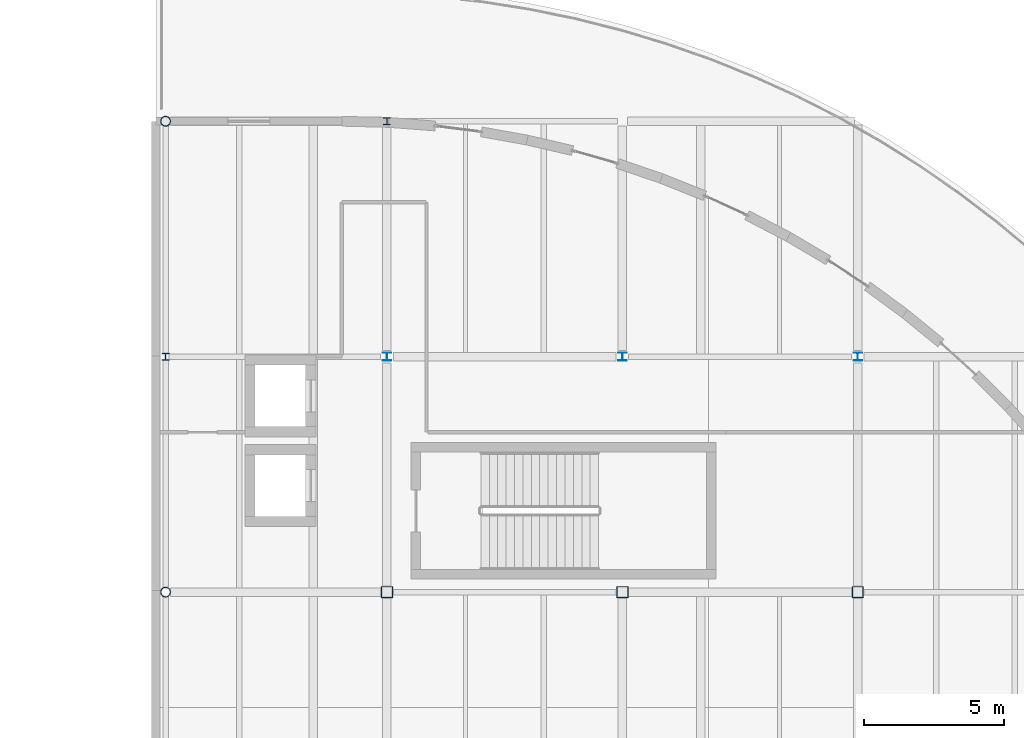
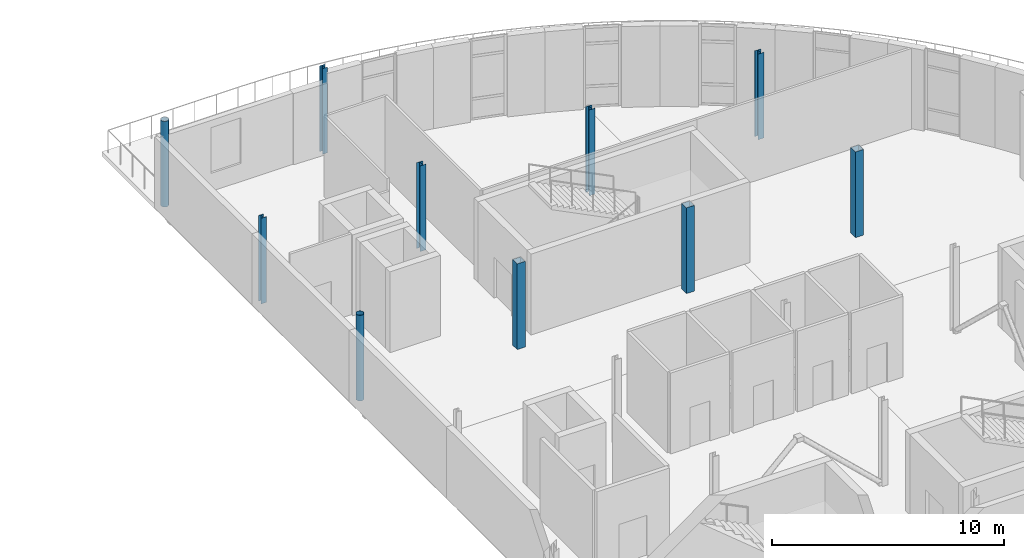
# One storey, part 3 of 40: 10 columns.
"""IFC4 building model written with IfcOpenShell, lengths in metres."""

from ifc_helpers import new_model, si_unit, direction, frame, origin, origin_2d, place, context, subcontext, project, spatial, hollow_rectangle, hollow_circle, i_section, extrude, material, material_profile, profile_set, type_object, element, save


model = new_model("IFC4")

# Units and contexts
model_context = context("Model", 3, precision=1e-05, world=origin(), true_north=direction((0.0, 1.0)))
body_context = subcontext(model_context, "Body", "Model", "MODEL_VIEW")
ifc_project = project(units=[si_unit("LENGTHUNIT", "METRE"), si_unit("AREAUNIT", "SQUARE_METRE"), si_unit("VOLUMEUNIT", "CUBIC_METRE"), si_unit("PLANEANGLEUNIT", "RADIAN"), si_unit("MASSUNIT", "GRAM", prefix="KILO"), si_unit("THERMODYNAMICTEMPERATUREUNIT", "KELVIN")], contexts=[model_context])

# Site, building, storey
site_placement = place(None, origin())
site = spatial("IfcSite", under=ifc_project, at=site_placement, CompositionType="ELEMENT")
building_placement = place(site_placement, origin())
building = spatial("IfcBuilding", under=site, at=building_placement, Name="Lustrewick Department Store", CompositionType="ELEMENT")
storey_placement = place(building_placement, frame((0.0, 0.0, 31.800048828125)))
storey = spatial("IfcBuildingStorey", under=building, at=storey_placement, Name="L07", CompositionType="ELEMENT", Elevation=31.800048828125)

# Columns
ifc_material = material(Name="Structural steel Q355B", Category="steel")
ifc_material_profile_1 = material_profile(ifc_material, hollow_rectangle(XDim=0.39990234375, YDim=0.39990234375, WallThickness=0.01611328125, at=origin_2d()), Name="BOX 400x400x16")
ifc_profile_set_1 = profile_set([ifc_material_profile_1], Name="Structural steel Q355B")
column_type_1 = type_object("IfcColumnType", Name="C08", PredefinedType="COLUMN", material=ifc_profile_set_1)
for number, where, z_axis, x_axis, name in (
    (1, (117.60009765625, 75.60009765625, 0.0), (0.0, 0.0, 1.0), (1.0, 0.0, 0.0), "L07 V4 Column C08"),
    (2, (126.0, 75.60009765625, 0.0), (0.0, 0.0, 1.0), (1.0, 0.0, 0.0), "L07 V4 Column C08"),
    (3, (134.39990234375, 75.60009765625, 0.0), (0.0, 0.0, 1.0), (1.0, 0.0, 0.0), "L07 V4 Column C08"),
):
    element("IfcColumn", number, at=place(storey_placement, frame(where, z_axis=z_axis, x_axis=x_axis)), inside=storey, type_object=column_type_1, Name=name, PredefinedType="COLUMN", context=body_context, shape_type="SweptSolid", body=[
        extrude(hollow_rectangle(XDim=0.39990234375, YDim=0.39990234375, WallThickness=0.01611328125, at=origin_2d()), origin(), (0.0, 0.0, 1.0), 4.5),
    ])
ifc_material_profile_2 = material_profile(ifc_material, i_section(OverallWidth=0.302001953125, OverallDepth=0.2939453125, WebThickness=0.011962890625, FlangeThickness=0.011962890625, FilletRadius=0.01806640625, at=origin_2d()), Name="HW 294x302x12x12")
ifc_profile_set_2 = profile_set([ifc_material_profile_2], Name="Structural steel Q355B")
column_type_2 = type_object("IfcColumnType", Name="C16", PredefinedType="COLUMN", material=ifc_profile_set_2)
for number, where, z_axis, x_axis, name in (
    (4, (117.60009765625, 84.0, 0.0), (0.0, 0.0, 1.0), (1.0, 0.0, 0.0), "L07 V4 Column C16"),
    (5, (126.0, 84.0, 0.0), (0.0, 0.0, 1.0), (1.0, 0.0, 0.0), "L07 V4 Column C16"),
    (6, (134.39990234375, 84.0, 0.0), (0.0, 0.0, 1.0), (1.0, 0.0, 0.0), "L07 V4 Column C16"),
):
    element("IfcColumn", number, at=place(storey_placement, frame(where, z_axis=z_axis, x_axis=x_axis)), inside=storey, type_object=column_type_2, Name=name, PredefinedType="COLUMN", context=body_context, shape_type="SweptSolid", body=[
        extrude(i_section(OverallWidth=0.302001953125, OverallDepth=0.2939453125, WebThickness=0.011962890625, FlangeThickness=0.011962890625, FilletRadius=0.01806640625, at=origin_2d()), origin(), (0.0, 0.0, 1.0), 4.5),
    ])
ifc_material_profile_3 = material_profile(ifc_material, hollow_circle(Radius=0.177978515625, WallThickness=0.013916015625, at=origin_2d()), Name="CHS 356x14")
ifc_profile_set_3 = profile_set([ifc_material_profile_3], Name="Structural steel Q355B")
column_type_3 = type_object("IfcColumnType", Name="CE05", PredefinedType="COLUMN", material=ifc_profile_set_3)
for number, where, z_axis, x_axis, name in (
    (7, (109.699951171875, 75.60009765625, 0.0), (0.0, 0.0, 1.0), (1.0, 0.0, 0.0), "L07 V4 Column CE05"),
    (8, (109.699951171875, 92.39990234375, 0.0), (0.0, 0.0, 1.0), (1.0, 0.0, 0.0), "L07 V4 Column CE05"),
):
    element("IfcColumn", number, at=place(storey_placement, frame(where, z_axis=z_axis, x_axis=x_axis)), inside=storey, type_object=column_type_3, Name=name, PredefinedType="COLUMN", context=body_context, shape_type="SweptSolid", body=[
        extrude(hollow_circle(Radius=0.177978515625, WallThickness=0.013916015625, at=origin_2d()), origin(), (0.0, 0.0, 1.0), 4.5),
    ])
ifc_material_profile_4 = material_profile(ifc_material, i_section(OverallWidth=0.25, OverallDepth=0.25, WebThickness=0.009033203125, FlangeThickness=0.013916015625, FilletRadius=0.01611328125, at=origin_2d()), Name="HW 250x250x9x14")
ifc_profile_set_4 = profile_set([ifc_material_profile_4], Name="Structural steel Q355B")
column_type_4 = type_object("IfcColumnType", Name="CE08", PredefinedType="COLUMN", material=ifc_profile_set_4)
for number, where, z_axis, x_axis, name in (
    (9, (109.699951171875, 84.0, 0.0), (0.0, 0.0, 1.0), (1.0, 0.0, 0.0), "L07 V4 Column CE08"),
    (10, (117.60009765625, 92.39990234375, 0.0), (0.0, 0.0, 1.0), (1.0, 0.0, 0.0), "L07 V4 Column CE08"),
):
    element("IfcColumn", number, at=place(storey_placement, frame(where, z_axis=z_axis, x_axis=x_axis)), inside=storey, type_object=column_type_4, Name=name, PredefinedType="COLUMN", context=body_context, shape_type="SweptSolid", body=[
        extrude(i_section(OverallWidth=0.25, OverallDepth=0.25, WebThickness=0.009033203125, FlangeThickness=0.013916015625, FilletRadius=0.01611328125, at=origin_2d()), origin(), (0.0, 0.0, 1.0), 4.5),
    ])

save(model, "model.ifc")
